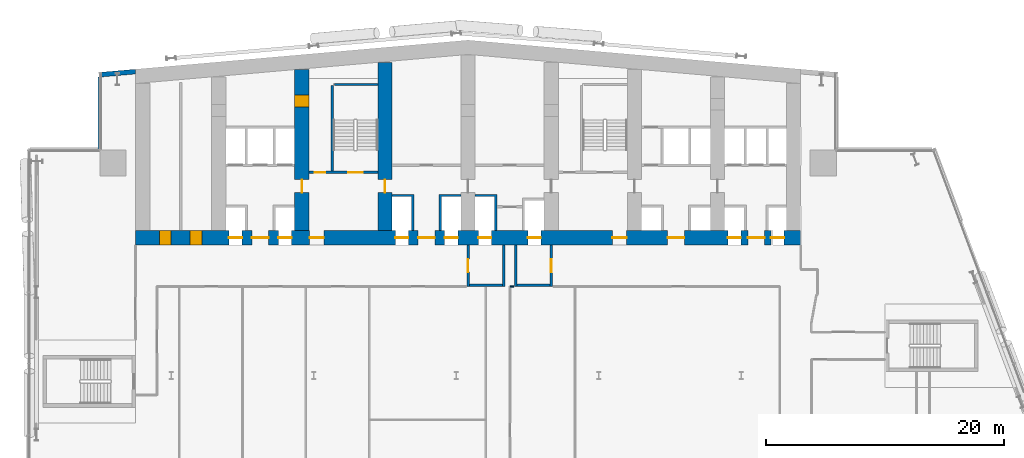
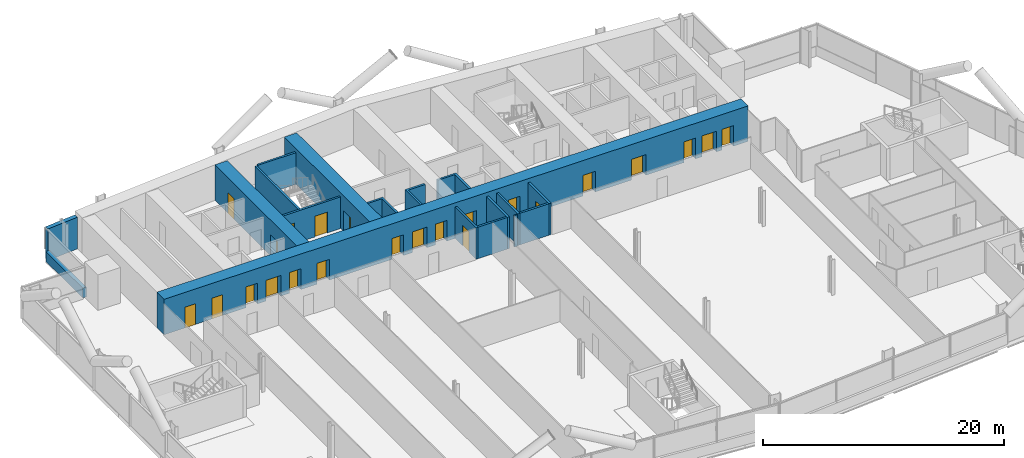
# One storey, part 14 of 24: 23 doors, 18 walls, 23 openings.
"""IFC4 building model written with IfcOpenShell, lengths in metres."""

from ifc_helpers import new_model, si_unit, direction, frame, frame_2d, origin, place, context, subcontext, project, spatial, polyline, rectangle, outline, extrude, material, layer, layer_set, type_object, element, fill, save


model = new_model("IFC4")

# Units and contexts
model_context = context("Model", 3, precision=1e-05, world=origin(), true_north=direction((0.0, 1.0)))
body_context = subcontext(model_context, "Body", "Model", "MODEL_VIEW")
ifc_project = project(units=[si_unit("LENGTHUNIT", "METRE"), si_unit("AREAUNIT", "SQUARE_METRE"), si_unit("VOLUMEUNIT", "CUBIC_METRE"), si_unit("PLANEANGLEUNIT", "RADIAN"), si_unit("MASSUNIT", "GRAM", prefix="KILO")], contexts=[model_context])

# Site, building, storey
site_placement = place(None, origin())
site = spatial("IfcSite", under=ifc_project, at=site_placement, CompositionType="ELEMENT")
building_placement = place(site_placement, origin())
building = spatial("IfcBuilding", under=site, at=building_placement, Name="Wharfspan Tower", CompositionType="ELEMENT")
storey_placement = place(building_placement, frame((0.0, 0.0, 66.699951)))
storey = spatial("IfcBuildingStorey", under=building, at=storey_placement, Name="L13", CompositionType="ELEMENT", Elevation=66.699951)

# Wall
ifc_material_1 = material(Name="Gypsum board on steel studs", Category="steel")
ifc_layer_1 = layer(ifc_material_1, 0.100098)
ifc_layer_set_1 = layer_set([ifc_layer_1], Name="Gypsum board on steel studs")
wall_type_1 = type_object("IfcWallType", Name="Compartment wall 100 EI 60", PredefinedType="PARTITIONING", material=ifc_layer_set_1)
wall_1_placement = place(storey_placement, frame((40.534912, 30.5, 0.0), z_axis=(0.0, 0.0, 1.0), x_axis=(1.0, 0.0, 0.0)))
element("IfcWall", 1, at=wall_1_placement, inside=storey, type_object=wall_type_1, Name="Partition L13.w018", PredefinedType="PARTITIONING", context=body_context, shape_type="SweptSolid", body=[
    extrude(rectangle(XDim=0.315186, YDim=0.100098, at=frame_2d((0.157715, 0.0))), origin(), (0.0, 0.0, 1.0), 3.199951),
])

# Wall, openings, doors
ifc_material_2 = material(Name="Concrete C70/85", Category="concrete")
ifc_layer_2 = layer(ifc_material_2, 1.199951)
ifc_layer_set_2 = layer_set([ifc_layer_2], Name="Concrete C70/85")
wall_type_2 = type_object("IfcWallType", Name="Core wall 1200 C70/85", PredefinedType="SHEAR", material=ifc_layer_set_2)
wall_2_placement = place(storey_placement, frame((9.0, 34.600098, 0.0), z_axis=(0.0, 0.0, 1.0), x_axis=(1.0, 0.0, 0.0)))
wall_2 = element("IfcWall", 2, at=wall_2_placement, inside=storey, type_object=wall_type_2, Name="Core front wall L13", PredefinedType="SHEAR", context=body_context, shape_type="SweptSolid", body=[
    extrude(rectangle(XDim=56.0, YDim=1.199951, at=frame_2d((28.0, 0.0))), origin(), (0.0, 0.0, 1.0), 3.600098),
])
opening_1_placement = place(wall_2_placement, frame((2.0, 0.0, 0.0)))
opening_1 = element("IfcOpeningElement", 3, at=opening_1_placement, cuts=wall_2, Name="Opening CD13.01", PredefinedType="OPENING", context=body_context, shape_type="SweptSolid", body=[
    extrude(rectangle(XDim=1.0, YDim=2.100098, at=frame_2d((0.5, 1.050049))), frame((0.0, 0.609863, 0.0), z_axis=(0.0, -1.0, 0.0), x_axis=(1.0, 0.0, 0.0)), (0.0, 0.0, 1.0), 1.219971),
])
opening_2_placement = place(wall_2_placement, frame((4.600098, 0.0, 0.0)))
opening_2 = element("IfcOpeningElement", 4, at=opening_2_placement, cuts=wall_2, Name="Opening CD13.02", PredefinedType="OPENING", context=body_context, shape_type="SweptSolid", body=[
    extrude(rectangle(XDim=1.0, YDim=2.100098, at=frame_2d((0.5, 1.050049))), frame((0.0, 0.609863, 0.0), z_axis=(0.0, -1.0, 0.0), x_axis=(1.0, 0.0, 0.0)), (0.0, 0.0, 1.0), 1.219971),
])
opening_3_placement = place(wall_2_placement, frame((7.866699, 0.0, 0.0)))
opening_3 = element("IfcOpeningElement", 5, at=opening_3_placement, cuts=wall_2, Name="Opening LD.LA1.L13", PredefinedType="OPENING", context=body_context, shape_type="SweptSolid", body=[
    extrude(rectangle(XDim=1.100098, YDim=2.100098, at=frame_2d((0.550049, 1.050049))), frame((0.0, 0.609863, 0.0), z_axis=(0.0, -1.0, 0.0), x_axis=(1.0, 0.0, 0.0)), (0.0, 0.0, 1.0), 1.219971),
])
opening_4_placement = place(wall_2_placement, frame((12.033203, 0.0, 0.0)))
opening_4 = element("IfcOpeningElement", 6, at=opening_4_placement, cuts=wall_2, Name="Opening LD.LA2.L13", PredefinedType="OPENING", context=body_context, shape_type="SweptSolid", body=[
    extrude(rectangle(XDim=1.100098, YDim=2.100098, at=frame_2d((0.550049, 1.050049))), frame((0.0, 0.609863, 0.0), z_axis=(0.0, -1.0, 0.0), x_axis=(1.0, 0.0, 0.0)), (0.0, 0.0, 1.0), 1.219971),
])
opening_5_placement = place(wall_2_placement, frame((9.800049, 0.0, 0.0)))
opening_5 = element("IfcOpeningElement", 7, at=opening_5_placement, cuts=wall_2, Name="Opening HD13.1", PredefinedType="OPENING", context=body_context, shape_type="SweptSolid", body=[
    extrude(rectangle(XDim=1.399902, YDim=2.100098, at=frame_2d((0.699951, 1.050049))), frame((0.0, 0.609863, 0.0), z_axis=(0.0, -1.0, 0.0), x_axis=(1.0, 0.0, 0.0)), (0.0, 0.0, 1.0), 1.219971),
])
opening_6_placement = place(wall_2_placement, frame((14.649902, 0.0, 0.0)))
opening_6 = element("IfcOpeningElement", 8, at=opening_6_placement, cuts=wall_2, Name="Opening SV2.L13", PredefinedType="OPENING", context=body_context, shape_type="SweptSolid", body=[
    extrude(rectangle(XDim=1.199951, YDim=2.100098, at=frame_2d((0.600098, 1.050049))), frame((0.0, 0.609863, 0.0), z_axis=(0.0, -1.0, 0.0), x_axis=(1.0, 0.0, 0.0)), (0.0, 0.0, 1.0), 1.219971),
])
opening_7_placement = place(wall_2_placement, frame((21.866699, 0.0, 0.0)))
opening_7 = element("IfcOpeningElement", 9, at=opening_7_placement, cuts=wall_2, Name="Opening LD.SL1.L13", PredefinedType="OPENING", context=body_context, shape_type="SweptSolid", body=[
    extrude(rectangle(XDim=1.100098, YDim=2.100098, at=frame_2d((0.550049, 1.050049))), frame((0.0, 0.609863, 0.0), z_axis=(0.0, -1.0, 0.0), x_axis=(1.0, 0.0, 0.0)), (0.0, 0.0, 1.0), 1.219971),
])
opening_8_placement = place(wall_2_placement, frame((26.033203, 0.0, 0.0)))
opening_8 = element("IfcOpeningElement", 10, at=opening_8_placement, cuts=wall_2, Name="Opening LD.SL2.L13", PredefinedType="OPENING", context=body_context, shape_type="SweptSolid", body=[
    extrude(rectangle(XDim=1.100098, YDim=2.100098, at=frame_2d((0.550049, 1.050049))), frame((0.0, 0.609863, 0.0), z_axis=(0.0, -1.0, 0.0), x_axis=(1.0, 0.0, 0.0)), (0.0, 0.0, 1.0), 1.219971),
])
opening_9_placement = place(wall_2_placement, frame((23.800049, 0.0, 0.0)))
opening_9 = element("IfcOpeningElement", 11, at=opening_9_placement, cuts=wall_2, Name="Opening HD13.3", PredefinedType="OPENING", context=body_context, shape_type="SweptSolid", body=[
    extrude(rectangle(XDim=1.399902, YDim=2.100098, at=frame_2d((0.699951, 1.050049))), frame((0.0, 0.609863, 0.0), z_axis=(0.0, -1.0, 0.0), x_axis=(1.0, 0.0, 0.0)), (0.0, 0.0, 1.0), 1.219971),
])
opening_10_placement = place(wall_2_placement, frame((28.866699, 0.0, 0.0)))
opening_10 = element("IfcOpeningElement", 12, at=opening_10_placement, cuts=wall_2, Name="Opening LD.FF1.L13", PredefinedType="OPENING", context=body_context, shape_type="SweptSolid", body=[
    extrude(rectangle(XDim=1.100098, YDim=2.100098, at=frame_2d((0.550049, 1.050049))), frame((0.0, 0.609863, 0.0), z_axis=(0.0, -1.0, 0.0), x_axis=(1.0, 0.0, 0.0)), (0.0, 0.0, 1.0), 1.219971),
])
opening_11_placement = place(wall_2_placement, frame((33.033203, 0.0, 0.0)))
opening_11 = element("IfcOpeningElement", 13, at=opening_11_placement, cuts=wall_2, Name="Opening LD.FF2.L13", PredefinedType="OPENING", context=body_context, shape_type="SweptSolid", body=[
    extrude(rectangle(XDim=1.100098, YDim=2.100098, at=frame_2d((0.550049, 1.050049))), frame((0.0, 0.609863, 0.0), z_axis=(0.0, -1.0, 0.0), x_axis=(1.0, 0.0, 0.0)), (0.0, 0.0, 1.0), 1.219971),
])
opening_12_placement = place(wall_2_placement, frame((40.149902, 0.0, 0.0)))
opening_12 = element("IfcOpeningElement", 14, at=opening_12_placement, cuts=wall_2, Name="Opening SV5.L13", PredefinedType="OPENING", context=body_context, shape_type="SweptSolid", body=[
    extrude(rectangle(XDim=1.199951, YDim=2.100098, at=frame_2d((0.600098, 1.050049))), frame((0.0, 0.609863, 0.0), z_axis=(0.0, -1.0, 0.0), x_axis=(1.0, 0.0, 0.0)), (0.0, 0.0, 1.0), 1.219971),
])
opening_13_placement = place(wall_2_placement, frame((44.800049, 0.0, 0.0)))
opening_13 = element("IfcOpeningElement", 15, at=opening_13_placement, cuts=wall_2, Name="Opening HD13.6", PredefinedType="OPENING", context=body_context, shape_type="SweptSolid", body=[
    extrude(rectangle(XDim=1.399902, YDim=2.100098, at=frame_2d((0.699951, 1.050049))), frame((0.0, 0.609863, 0.0), z_axis=(0.0, -1.0, 0.0), x_axis=(1.0, 0.0, 0.0)), (0.0, 0.0, 1.0), 1.219971),
])
opening_14_placement = place(wall_2_placement, frame((49.866699, 0.0, 0.0)))
opening_14 = element("IfcOpeningElement", 16, at=opening_14_placement, cuts=wall_2, Name="Opening LD.LA6.L13", PredefinedType="OPENING", context=body_context, shape_type="SweptSolid", body=[
    extrude(rectangle(XDim=1.100098, YDim=2.100098, at=frame_2d((0.550049, 1.050049))), frame((0.0, 0.609863, 0.0), z_axis=(0.0, -1.0, 0.0), x_axis=(1.0, 0.0, 0.0)), (0.0, 0.0, 1.0), 1.219971),
])
opening_15_placement = place(wall_2_placement, frame((53.5, 0.0, 0.0)))
opening_15 = element("IfcOpeningElement", 17, at=opening_15_placement, cuts=wall_2, Name="Opening LD.LA7.L13", PredefinedType="OPENING", context=body_context, shape_type="SweptSolid", body=[
    extrude(rectangle(XDim=1.100098, YDim=2.100098, at=frame_2d((0.550049, 1.050049))), frame((0.0, 0.609863, 0.0), z_axis=(0.0, -1.0, 0.0), x_axis=(1.0, 0.0, 0.0)), (0.0, 0.0, 1.0), 1.219971),
])
opening_16_placement = place(wall_2_placement, frame((51.56665, 0.0, 0.0)))
opening_16 = element("IfcOpeningElement", 18, at=opening_16_placement, cuts=wall_2, Name="Opening HD13.7", PredefinedType="OPENING", context=body_context, shape_type="SweptSolid", body=[
    extrude(rectangle(XDim=1.399902, YDim=2.100098, at=frame_2d((0.699951, 1.050049))), frame((0.0, 0.609863, 0.0), z_axis=(0.0, -1.0, 0.0), x_axis=(1.0, 0.0, 0.0)), (0.0, 0.0, 1.0), 1.219971),
])
ifc_material_3 = material(Name="Steel door leaf", Category="steel")
door_type_1 = type_object("IfcDoorType", Name="Core room door 1000x2100", OperationType="SINGLE_SWING_LEFT", PredefinedType="DOOR", material=ifc_material_3)
door_1_placement = place(opening_1_placement, origin())
door_1 = element("IfcDoor", 19, at=door_1_placement, inside=storey, type_object=door_type_1, Name="d:L13:0:rf", OperationType="SINGLE_SWING_LEFT", OverallHeight=2.100098, OverallWidth=1.0, PredefinedType="DOOR", context=body_context, shape_type="SweptSolid", body=[
    extrude(rectangle(XDim=1.0, YDim=2.100098, at=frame_2d((0.5, 1.050049))), frame((0.0, 0.599609, 0.0), z_axis=(0.0, -1.0, 0.0), x_axis=(1.0, 0.0, 0.0)), (0.0, 0.0, 1.0), 1.199463),
])
fill(opening_1, door_1)
door_2_placement = place(opening_2_placement, origin())
door_2 = element("IfcDoor", 20, at=door_2_placement, inside=storey, type_object=door_type_1, Name="d:L13:0:rr", OperationType="SINGLE_SWING_RIGHT", OverallHeight=2.100098, OverallWidth=1.0, PredefinedType="DOOR", context=body_context, shape_type="SweptSolid", body=[
    extrude(rectangle(XDim=1.0, YDim=2.100098, at=frame_2d((0.5, 1.050049))), frame((0.0, 0.599609, 0.0), z_axis=(0.0, -1.0, 0.0), x_axis=(1.0, 0.0, 0.0)), (0.0, 0.0, 1.0), 1.199463),
])
fill(opening_2, door_2)
door_type_2 = type_object("IfcDoorType", Name="Hall entry door 1400x2100", OperationType="DOUBLE_DOOR_SINGLE_SWING", PredefinedType="DOOR", material=ifc_material_3)
door_3_placement = place(opening_5_placement, origin())
door_3 = element("IfcDoor", 21, at=door_3_placement, inside=storey, type_object=door_type_2, Name="d:L13:1:hd1", OperationType="DOUBLE_DOOR_SINGLE_SWING", OverallHeight=2.100098, OverallWidth=1.399902, PredefinedType="DOOR", context=body_context, shape_type="SweptSolid", body=[
    extrude(rectangle(XDim=1.399902, YDim=2.100098, at=frame_2d((0.699951, 1.050049))), frame((0.0, 0.024902, 0.0), z_axis=(0.0, -1.0, 0.0), x_axis=(1.0, 0.0, 0.0)), (0.0, 0.0, 1.0), 0.050049),
])
fill(opening_5, door_3)
door_4_placement = place(opening_9_placement, origin())
door_4 = element("IfcDoor", 22, at=door_4_placement, inside=storey, type_object=door_type_2, Name="d:L13:3:hd3", OperationType="DOUBLE_DOOR_SINGLE_SWING", OverallHeight=2.100098, OverallWidth=1.399902, PredefinedType="DOOR", context=body_context, shape_type="SweptSolid", body=[
    extrude(rectangle(XDim=1.399902, YDim=2.100098, at=frame_2d((0.699951, 1.050049))), frame((0.0, 0.024902, 0.0), z_axis=(0.0, -1.0, 0.0), x_axis=(1.0, 0.0, 0.0)), (0.0, 0.0, 1.0), 0.050049),
])
fill(opening_9, door_4)
door_5_placement = place(opening_13_placement, origin())
door_5 = element("IfcDoor", 23, at=door_5_placement, inside=storey, type_object=door_type_2, Name="d:L13:6:hd6", OperationType="DOUBLE_DOOR_SINGLE_SWING", OverallHeight=2.100098, OverallWidth=1.399902, PredefinedType="DOOR", context=body_context, shape_type="SweptSolid", body=[
    extrude(rectangle(XDim=1.399902, YDim=2.100098, at=frame_2d((0.699951, 1.050049))), frame((0.0, 0.024902, 0.0), z_axis=(0.0, -1.0, 0.0), x_axis=(1.0, 0.0, 0.0)), (0.0, 0.0, 1.0), 0.050049),
])
fill(opening_13, door_5)
door_6_placement = place(opening_16_placement, origin())
door_6 = element("IfcDoor", 24, at=door_6_placement, inside=storey, type_object=door_type_2, Name="d:L13:7:hd7", OperationType="DOUBLE_DOOR_SINGLE_SWING", OverallHeight=2.100098, OverallWidth=1.399902, PredefinedType="DOOR", context=body_context, shape_type="SweptSolid", body=[
    extrude(rectangle(XDim=1.399902, YDim=2.100098, at=frame_2d((0.699951, 1.050049))), frame((0.0, 0.024902, 0.0), z_axis=(0.0, -1.0, 0.0), x_axis=(1.0, 0.0, 0.0)), (0.0, 0.0, 1.0), 0.050049),
])
fill(opening_16, door_6)
ifc_material_4 = material(Name="Stainless steel", Category="steel")
door_type_3 = type_object("IfcDoorType", Name="Lift landing door 1100x2100", OperationType="DOUBLE_DOOR_SLIDING", PredefinedType="DOOR", material=ifc_material_4)
door_7_placement = place(opening_3_placement, origin())
door_7 = element("IfcDoor", 25, at=door_7_placement, inside=storey, type_object=door_type_3, Name="Landing door LA1 L13", OperationType="DOUBLE_DOOR_SLIDING", OverallHeight=2.100098, OverallWidth=1.100098, PredefinedType="DOOR", context=body_context, shape_type="SweptSolid", body=[
    extrude(rectangle(XDim=1.100098, YDim=2.100098, at=frame_2d((0.550049, 1.050049))), frame((0.0, 0.024902, 0.0), z_axis=(0.0, -1.0, 0.0), x_axis=(1.0, 0.0, 0.0)), (0.0, 0.0, 1.0), 0.050049),
])
fill(opening_3, door_7)
door_8_placement = place(opening_4_placement, origin())
door_8 = element("IfcDoor", 26, at=door_8_placement, inside=storey, type_object=door_type_3, Name="Landing door LA2 L13", OperationType="DOUBLE_DOOR_SLIDING", OverallHeight=2.100098, OverallWidth=1.100098, PredefinedType="DOOR", context=body_context, shape_type="SweptSolid", body=[
    extrude(rectangle(XDim=1.100098, YDim=2.100098, at=frame_2d((0.550049, 1.050049))), frame((0.0, 0.024902, 0.0), z_axis=(0.0, -1.0, 0.0), x_axis=(1.0, 0.0, 0.0)), (0.0, 0.0, 1.0), 0.050049),
])
fill(opening_4, door_8)
door_9_placement = place(opening_7_placement, origin())
door_9 = element("IfcDoor", 27, at=door_9_placement, inside=storey, type_object=door_type_3, Name="Landing door SL1 L13", OperationType="DOUBLE_DOOR_SLIDING", OverallHeight=2.100098, OverallWidth=1.100098, PredefinedType="DOOR", context=body_context, shape_type="SweptSolid", body=[
    extrude(rectangle(XDim=1.100098, YDim=2.100098, at=frame_2d((0.550049, 1.050049))), frame((0.0, 0.024902, 0.0), z_axis=(0.0, -1.0, 0.0), x_axis=(1.0, 0.0, 0.0)), (0.0, 0.0, 1.0), 0.050049),
])
fill(opening_7, door_9)
door_10_placement = place(opening_8_placement, origin())
door_10 = element("IfcDoor", 28, at=door_10_placement, inside=storey, type_object=door_type_3, Name="Landing door SL2 L13", OperationType="DOUBLE_DOOR_SLIDING", OverallHeight=2.100098, OverallWidth=1.100098, PredefinedType="DOOR", context=body_context, shape_type="SweptSolid", body=[
    extrude(rectangle(XDim=1.100098, YDim=2.100098, at=frame_2d((0.550049, 1.050049))), frame((0.0, 0.024902, 0.0), z_axis=(0.0, -1.0, 0.0), x_axis=(1.0, 0.0, 0.0)), (0.0, 0.0, 1.0), 0.050049),
])
fill(opening_8, door_10)
door_11_placement = place(opening_10_placement, origin())
door_11 = element("IfcDoor", 29, at=door_11_placement, inside=storey, type_object=door_type_3, Name="Landing door FF1 L13", OperationType="DOUBLE_DOOR_SLIDING", OverallHeight=2.100098, OverallWidth=1.100098, PredefinedType="DOOR", context=body_context, shape_type="SweptSolid", body=[
    extrude(rectangle(XDim=1.100098, YDim=2.100098, at=frame_2d((0.550049, 1.050049))), frame((0.0, 0.024902, 0.0), z_axis=(0.0, -1.0, 0.0), x_axis=(1.0, 0.0, 0.0)), (0.0, 0.0, 1.0), 0.050049),
])
fill(opening_10, door_11)
door_12_placement = place(opening_11_placement, origin())
door_12 = element("IfcDoor", 30, at=door_12_placement, inside=storey, type_object=door_type_3, Name="Landing door FF2 L13", OperationType="DOUBLE_DOOR_SLIDING", OverallHeight=2.100098, OverallWidth=1.100098, PredefinedType="DOOR", context=body_context, shape_type="SweptSolid", body=[
    extrude(rectangle(XDim=1.100098, YDim=2.100098, at=frame_2d((0.550049, 1.050049))), frame((0.0, 0.024902, 0.0), z_axis=(0.0, -1.0, 0.0), x_axis=(1.0, 0.0, 0.0)), (0.0, 0.0, 1.0), 0.050049),
])
fill(opening_11, door_12)
door_13_placement = place(opening_14_placement, origin())
door_13 = element("IfcDoor", 31, at=door_13_placement, inside=storey, type_object=door_type_3, Name="Landing door LA6 L13", OperationType="DOUBLE_DOOR_SLIDING", OverallHeight=2.100098, OverallWidth=1.100098, PredefinedType="DOOR", context=body_context, shape_type="SweptSolid", body=[
    extrude(rectangle(XDim=1.100098, YDim=2.100098, at=frame_2d((0.550049, 1.050049))), frame((0.0, 0.024902, 0.0), z_axis=(0.0, -1.0, 0.0), x_axis=(1.0, 0.0, 0.0)), (0.0, 0.0, 1.0), 0.050049),
])
fill(opening_14, door_13)
door_14_placement = place(opening_15_placement, origin())
door_14 = element("IfcDoor", 32, at=door_14_placement, inside=storey, type_object=door_type_3, Name="Landing door LA7 L13", OperationType="DOUBLE_DOOR_SLIDING", OverallHeight=2.100098, OverallWidth=1.100098, PredefinedType="DOOR", context=body_context, shape_type="SweptSolid", body=[
    extrude(rectangle(XDim=1.100098, YDim=2.100098, at=frame_2d((0.550049, 1.050049))), frame((0.0, 0.024902, 0.0), z_axis=(0.0, -1.0, 0.0), x_axis=(1.0, 0.0, 0.0)), (0.0, 0.0, 1.0), 0.050049),
])
fill(opening_15, door_14)
door_type_4 = type_object("IfcDoorType", Name="Stair door 1200x2100", OperationType="SINGLE_SWING_LEFT", PredefinedType="DOOR", material=ifc_material_3)
door_15_placement = place(opening_6_placement, origin())
door_15 = element("IfcDoor", 33, at=door_15_placement, inside=storey, type_object=door_type_4, Name="vd:L13:2", OperationType="SINGLE_SWING_LEFT", OverallHeight=2.100098, OverallWidth=1.199951, PredefinedType="DOOR", context=body_context, shape_type="SweptSolid", body=[
    extrude(rectangle(XDim=1.199951, YDim=2.100098, at=frame_2d((0.600098, 1.050049))), frame((0.0, 0.024902, 0.0), z_axis=(0.0, -1.0, 0.0), x_axis=(1.0, 0.0, 0.0)), (0.0, 0.0, 1.0), 0.050049),
])
fill(opening_6, door_15)
door_16_placement = place(opening_12_placement, origin())
door_16 = element("IfcDoor", 34, at=door_16_placement, inside=storey, type_object=door_type_4, Name="vd:L13:5", OperationType="SINGLE_SWING_LEFT", OverallHeight=2.100098, OverallWidth=1.199951, PredefinedType="DOOR", context=body_context, shape_type="SweptSolid", body=[
    extrude(rectangle(XDim=1.199951, YDim=2.100098, at=frame_2d((0.600098, 1.050049))), frame((0.0, 0.024902, 0.0), z_axis=(0.0, -1.0, 0.0), x_axis=(1.0, 0.0, 0.0)), (0.0, 0.0, 1.0), 0.050049),
])
fill(opening_12, door_16)

wall_3_placement = place(storey_placement, frame((23.0, 35.199951, 0.0), z_axis=(0.0, 0.0, 1.0), x_axis=(0.0, 1.0, 0.0)))
wall_3 = element("IfcWall", 35, at=wall_3_placement, inside=storey, type_object=wall_type_2, Name="Core cross wall X2 L13", PredefinedType="SHEAR", context=body_context, shape_type="SweptSolid", body=[
    extrude(rectangle(XDim=13.555176, YDim=1.199951, at=frame_2d((6.777588, 0.0))), origin(), (0.0, 0.0, 1.0), 3.600098),
])
opening_17_placement = place(wall_3_placement, frame((10.413818, 0.0, 0.0)))
opening_17 = element("IfcOpeningElement", 36, at=opening_17_placement, cuts=wall_3, Name="Opening CD13.1X", PredefinedType="OPENING", context=body_context, shape_type="SweptSolid", body=[
    extrude(rectangle(XDim=1.0, YDim=2.100098, at=frame_2d((0.5, 1.050049))), frame((0.0, 0.609863, 0.0), z_axis=(0.0, -1.0, 0.0), x_axis=(1.0, 0.0, 0.0)), (0.0, 0.0, 1.0), 1.219971),
])
opening_18_placement = place(wall_3_placement, frame((3.199951, 0.0, 0.0)))
opening_18 = element("IfcOpeningElement", 37, at=opening_18_placement, cuts=wall_3, Name="Opening CC13.2", PredefinedType="OPENING", context=body_context, shape_type="SweptSolid", body=[
    extrude(rectangle(XDim=1.100098, YDim=2.100098, at=frame_2d((0.550049, 1.050049))), frame((0.0, 0.609863, 0.0), z_axis=(0.0, -1.0, 0.0), x_axis=(1.0, 0.0, 0.0)), (0.0, 0.0, 1.0), 1.219971),
])
door_type_5 = type_object("IfcDoorType", Name="Core corridor door 1100x2100", OperationType="SINGLE_SWING_LEFT", PredefinedType="DOOR", material=ifc_material_3)
door_17_placement = place(opening_18_placement, origin())
door_17 = element("IfcDoor", 38, at=door_17_placement, inside=storey, type_object=door_type_5, Name="xd:L13:2", OperationType="SINGLE_SWING_RIGHT", OverallHeight=2.100098, OverallWidth=1.100098, PredefinedType="DOOR", context=body_context, shape_type="SweptSolid", body=[
    extrude(rectangle(XDim=1.100098, YDim=2.100098, at=frame_2d((0.550049, 1.050049))), frame((0.0, 0.024902, 0.0), z_axis=(0.0, -1.0, 0.0), x_axis=(1.0, 0.0, 0.0)), (0.0, 0.0, 1.0), 0.050049),
])
fill(opening_18, door_17)
door_18_placement = place(opening_17_placement, origin())
door_18 = element("IfcDoor", 39, at=door_18_placement, inside=storey, type_object=door_type_1, Name="d:L13:1:sx", OperationType="SINGLE_SWING_LEFT", OverallHeight=2.100098, OverallWidth=1.0, PredefinedType="DOOR", context=body_context, shape_type="SweptSolid", body=[
    extrude(rectangle(XDim=1.0, YDim=2.100098, at=frame_2d((0.5, 1.050049))), frame((0.0, 0.599609, 0.0), z_axis=(0.0, -1.0, 0.0), x_axis=(1.0, 0.0, 0.0)), (0.0, 0.0, 1.0), 1.199463),
])
fill(opening_17, door_18)

# Wall, opening, door
wall_4_placement = place(storey_placement, frame((30.0, 35.199951, 0.0), z_axis=(0.0, 0.0, 1.0), x_axis=(0.0, 1.0, 0.0)))
wall_4 = element("IfcWall", 40, at=wall_4_placement, inside=storey, type_object=wall_type_2, Name="Core cross wall X3 L13", PredefinedType="SHEAR", context=body_context, shape_type="SweptSolid", body=[
    extrude(rectangle(XDim=14.167725, YDim=1.199951, at=frame_2d((7.083984, 0.0))), origin(), (0.0, 0.0, 1.0), 3.600098),
])
opening_19_placement = place(wall_4_placement, frame((3.199951, 0.0, 0.0)))
opening_19 = element("IfcOpeningElement", 41, at=opening_19_placement, cuts=wall_4, Name="Opening CC13.3", PredefinedType="OPENING", context=body_context, shape_type="SweptSolid", body=[
    extrude(rectangle(XDim=1.100098, YDim=2.100098, at=frame_2d((0.550049, 1.050049))), frame((0.0, 0.609863, 0.0), z_axis=(0.0, -1.0, 0.0), x_axis=(1.0, 0.0, 0.0)), (0.0, 0.0, 1.0), 1.219971),
])
door_19_placement = place(opening_19_placement, origin())
door_19 = element("IfcDoor", 42, at=door_19_placement, inside=storey, type_object=door_type_5, Name="xd:L13:3", OperationType="SINGLE_SWING_LEFT", OverallHeight=2.100098, OverallWidth=1.100098, PredefinedType="DOOR", context=body_context, shape_type="SweptSolid", body=[
    extrude(rectangle(XDim=1.100098, YDim=2.100098, at=frame_2d((0.550049, 1.050049))), frame((0.0, 0.024902, 0.0), z_axis=(0.0, -1.0, 0.0), x_axis=(1.0, 0.0, 0.0)), (0.0, 0.0, 1.0), 0.050049),
])
fill(opening_19, door_19)

# Walls
ifc_material_5 = material(Name="Concrete C30/37", Category="concrete")
ifc_layer_3 = layer(ifc_material_5, 0.199951)
ifc_layer_set_3 = layer_set([ifc_layer_3], Name="Concrete C30/37")
wall_type_3 = type_object("IfcWallType", Name="Lift shaft wall 200", PredefinedType="PARTITIONING", material=ifc_layer_set_3)
wall_5_placement = place(storey_placement, frame((0.0, 0.0, -0.000244)))
element("IfcWall", 43, at=wall_5_placement, inside=storey, type_object=wall_type_3, Name="sw:L13:FM3.0", PredefinedType="PARTITIONING", context=body_context, shape_type="SweptSolid", body=[
    extrude(outline(polyline([(32.233398, 38.050049), (30.600098, 38.050049), (30.600098, 38.25), (32.233398, 38.25), (32.43335, 38.25), (32.43335, 35.199951), (32.233398, 35.199951), (32.233398, 38.050049)])), origin(), (0.0, 0.0, 1.0), 3.200195),
])
wall_6_placement = place(storey_placement, frame((0.0, 0.0, -0.000244)))
element("IfcWall", 44, at=wall_6_placement, inside=storey, type_object=wall_type_3, Name="sw:L13:FM3.1", PredefinedType="PARTITIONING", context=body_context, shape_type="SweptSolid", body=[
    extrude(outline(polyline([(34.56665, 38.25), (34.766602, 38.25), (36.399902, 38.25), (36.399902, 38.050049), (34.766602, 38.050049), (34.766602, 35.199951), (34.56665, 35.199951), (34.56665, 38.25)])), origin(), (0.0, 0.0, 1.0), 3.200195),
])
wall_7_placement = place(storey_placement, frame((0.0, 0.0, -0.000244)))
element("IfcWall", 45, at=wall_7_placement, inside=storey, type_object=wall_type_3, Name="sw:L13:FM4.1", PredefinedType="PARTITIONING", context=body_context, shape_type="SweptSolid", body=[
    extrude(outline(polyline([(39.233398, 38.050049), (37.600098, 38.050049), (37.600098, 38.25), (39.233398, 38.25), (39.43335, 38.25), (39.43335, 35.199951), (39.233398, 35.199951), (39.233398, 38.050049)])), origin(), (0.0, 0.0, 1.0), 3.200195),
])

# Wall, opening, door
ifc_layer_4 = layer(ifc_material_5, 0.199951)
ifc_layer_set_4 = layer_set([ifc_layer_4], Name="Concrete C30/37")
wall_type_4 = type_object("IfcWallType", Name="Lobby wall 200", PredefinedType="PARTITIONING", material=ifc_layer_set_4)
wall_8_placement = place(storey_placement, frame((37.0, 30.5, 0.0), z_axis=(0.0, 0.0, 1.0), x_axis=(0.0, 1.0, 0.0)))
wall_8 = element("IfcWall", 46, at=wall_8_placement, inside=storey, type_object=wall_type_4, Name="sw:L13:FLFF1W", PredefinedType="PARTITIONING", context=body_context, shape_type="SweptSolid", body=[
    extrude(rectangle(XDim=3.5, YDim=0.199951, at=frame_2d((1.75, 0.0))), origin(), (0.0, 0.0, 1.0), 3.199951),
])
opening_20_placement = place(wall_8_placement, frame((1.199951, 0.0, 0.0)))
opening_20 = element("IfcOpeningElement", 47, at=opening_20_placement, cuts=wall_8, Name="Opening FL.FF1.L13", PredefinedType="OPENING", context=body_context, shape_type="SweptSolid", body=[
    extrude(rectangle(XDim=1.100098, YDim=2.100098, at=frame_2d((0.550049, 1.050049))), frame((0.0, 0.109863, 0.0), z_axis=(0.0, -1.0, 0.0), x_axis=(1.0, 0.0, 0.0)), (0.0, 0.0, 1.0), 0.219971),
])
door_type_6 = type_object("IfcDoorType", Name="Firefighting lobby door 1100x2100", OperationType="SINGLE_SWING_LEFT", PredefinedType="DOOR", material=ifc_material_3)
door_20_placement = place(opening_20_placement, origin())
door_20 = element("IfcDoor", 48, at=door_20_placement, inside=storey, type_object=door_type_6, Name="fd:L13:FF1", OperationType="SINGLE_SWING_LEFT", OverallHeight=2.100098, OverallWidth=1.100098, PredefinedType="DOOR", context=body_context, shape_type="SweptSolid", body=[
    extrude(rectangle(XDim=1.100098, YDim=2.100098, at=frame_2d((0.550049, 1.050049))), frame((0.0, 0.024902, 0.0), z_axis=(0.0, -1.0, 0.0), x_axis=(1.0, 0.0, 0.0)), (0.0, 0.0, 1.0), 0.050049),
])
fill(opening_20, door_20)

# Walls
wall_9_placement = place(storey_placement, frame((40.0, 30.5, 0.0), z_axis=(0.0, 0.0, 1.0), x_axis=(0.0, 1.0, 0.0)))
element("IfcWall", 49, at=wall_9_placement, inside=storey, type_object=wall_type_4, Name="sw:L13:FLFF1E", PredefinedType="PARTITIONING", context=body_context, shape_type="SweptSolid", body=[
    extrude(rectangle(XDim=3.5, YDim=0.199951, at=frame_2d((1.75, 0.0))), origin(), (0.0, 0.0, 1.0), 3.199951),
])
wall_10_placement = place(storey_placement, frame((37.100098, 30.600098, 0.0), z_axis=(0.0, 0.0, 1.0), x_axis=(1.0, 0.0, 0.0)))
element("IfcWall", 50, at=wall_10_placement, inside=storey, type_object=wall_type_4, Name="sw:L13:FLFF1F", PredefinedType="PARTITIONING", context=body_context, shape_type="SweptSolid", body=[
    extrude(rectangle(XDim=2.799805, YDim=0.199951, at=frame_2d((1.399902, 0.0))), origin(), (0.0, 0.0, 1.0), 3.199951),
])
wall_11_placement = place(storey_placement, frame((41.0, 30.5, 0.0), z_axis=(0.0, 0.0, 1.0), x_axis=(0.0, 1.0, 0.0)))
element("IfcWall", 51, at=wall_11_placement, inside=storey, type_object=wall_type_4, Name="sw:L13:FLFF2W", PredefinedType="PARTITIONING", context=body_context, shape_type="SweptSolid", body=[
    extrude(rectangle(XDim=3.5, YDim=0.199951, at=frame_2d((1.75, 0.0))), origin(), (0.0, 0.0, 1.0), 3.199951),
])

# Wall, opening, door
wall_12_placement = place(storey_placement, frame((44.0, 30.5, 0.0), z_axis=(0.0, 0.0, 1.0), x_axis=(0.0, 1.0, 0.0)))
wall_12 = element("IfcWall", 52, at=wall_12_placement, inside=storey, type_object=wall_type_4, Name="sw:L13:FLFF2E", PredefinedType="PARTITIONING", context=body_context, shape_type="SweptSolid", body=[
    extrude(rectangle(XDim=3.5, YDim=0.199951, at=frame_2d((1.75, 0.0))), origin(), (0.0, 0.0, 1.0), 3.199951),
])
opening_21_placement = place(wall_12_placement, frame((1.199951, 0.0, 0.0)))
opening_21 = element("IfcOpeningElement", 53, at=opening_21_placement, cuts=wall_12, Name="Opening FL.FF2.L13", PredefinedType="OPENING", context=body_context, shape_type="SweptSolid", body=[
    extrude(rectangle(XDim=1.100098, YDim=2.100098, at=frame_2d((0.550049, 1.050049))), frame((0.0, 0.109863, 0.0), z_axis=(0.0, -1.0, 0.0), x_axis=(1.0, 0.0, 0.0)), (0.0, 0.0, 1.0), 0.219971),
])
door_21_placement = place(opening_21_placement, origin())
door_21 = element("IfcDoor", 54, at=door_21_placement, inside=storey, type_object=door_type_6, Name="fd:L13:FF2", OperationType="SINGLE_SWING_LEFT", OverallHeight=2.100098, OverallWidth=1.100098, PredefinedType="DOOR", context=body_context, shape_type="SweptSolid", body=[
    extrude(rectangle(XDim=1.100098, YDim=2.100098, at=frame_2d((0.550049, 1.050049))), frame((0.0, 0.024902, 0.0), z_axis=(0.0, -1.0, 0.0), x_axis=(1.0, 0.0, 0.0)), (0.0, 0.0, 1.0), 0.050049),
])
fill(opening_21, door_21)

# Walls
wall_13_placement = place(storey_placement, frame((41.100098, 30.600098, 0.0), z_axis=(0.0, 0.0, 1.0), x_axis=(1.0, 0.0, 0.0)))
element("IfcWall", 55, at=wall_13_placement, inside=storey, type_object=wall_type_4, Name="sw:L13:FLFF2F", PredefinedType="PARTITIONING", context=body_context, shape_type="SweptSolid", body=[
    extrude(rectangle(XDim=2.799805, YDim=0.199951, at=frame_2d((1.399902, 0.0))), origin(), (0.0, 0.0, 1.0), 3.199951),
])
ifc_material_6 = material(Name="Concrete C40/50", Category="concrete")
ifc_layer_5 = layer(ifc_material_6, 0.350098)
ifc_layer_set_5 = layer_set([ifc_layer_5], Name="Concrete C40/50")
wall_type_5 = type_object("IfcWallType", Name="SPANDREL EXPOSED CONCRETE 350", PredefinedType="SOLIDWALL", material=ifc_layer_set_5)
wall_14_placement = place(storey_placement, frame((5.995117, 48.126465, 0.0), z_axis=(0.0, 0.0, 1.0), x_axis=(0.0, -1.0, 0.0)))
element("IfcWall", 56, at=wall_14_placement, inside=storey, type_object=wall_type_5, Name="Spandrel upstand L13 NRW-V", PredefinedType="SOLIDWALL", context=body_context, shape_type="SweptSolid", body=[
    extrude(rectangle(XDim=6.126465, YDim=0.350098, at=frame_2d((3.063232, 0.0))), origin(), (0.0, 0.0, 1.0), 1.0),
])

# Wall, openings, doors
ifc_layer_6 = layer(ifc_material_6, 0.199951)
ifc_layer_set_6 = layer_set([ifc_layer_6], Name="Concrete C40/50")
wall_type_6 = type_object("IfcWallType", Name="Stair shaft wall 200", PredefinedType="SHEAR", material=ifc_layer_set_6)
wall_15_placement = place(storey_placement, frame((23.600098, 40.100098, 0.0), z_axis=(0.0, 0.0, 1.0), x_axis=(1.0, 0.0, 0.0)))
wall_15 = element("IfcWall", 57, at=wall_15_placement, inside=storey, type_object=wall_type_6, Name="ST1 stair enclosure wall L13", PredefinedType="SHEAR", context=body_context, shape_type="SweptSolid", body=[
    extrude(rectangle(XDim=5.799805, YDim=0.199951, at=frame_2d((2.899902, 0.0))), origin(), (0.0, 0.0, 1.0), 3.199951),
])
opening_22_placement = place(wall_15_placement, frame((3.324951, 0.0, 0.0)))
opening_22 = element("IfcOpeningElement", 58, at=opening_22_placement, cuts=wall_15, Name="Opening SD2.L13", PredefinedType="OPENING", context=body_context, shape_type="SweptSolid", body=[
    extrude(rectangle(XDim=1.199951, YDim=2.100098, at=frame_2d((0.600098, 1.050049))), frame((0.0, 0.109863, 0.0), z_axis=(0.0, -1.0, 0.0), x_axis=(1.0, 0.0, 0.0)), (0.0, 0.0, 1.0), 0.219971),
])
opening_23_placement = place(wall_15_placement, frame((0.475098, 0.0, 0.0)))
opening_23 = element("IfcOpeningElement", 59, at=opening_23_placement, cuts=wall_15, Name="Opening CD13.2R", PredefinedType="OPENING", context=body_context, shape_type="SweptSolid", body=[
    extrude(rectangle(XDim=0.899902, YDim=2.100098, at=frame_2d((0.449951, 1.050049))), frame((0.0, 0.109863, 0.0), z_axis=(0.0, -1.0, 0.0), x_axis=(1.0, 0.0, 0.0)), (0.0, 0.0, 1.0), 0.219971),
])
door_22_placement = place(opening_23_placement, origin())
door_22 = element("IfcDoor", 60, at=door_22_placement, inside=storey, type_object=door_type_1, Name="rk:L13:2", OperationType="SINGLE_SWING_LEFT", OverallHeight=2.100098, OverallWidth=0.899902, PredefinedType="DOOR", context=body_context, shape_type="SweptSolid", body=[
    extrude(rectangle(XDim=0.899902, YDim=2.100098, at=frame_2d((0.449951, 1.050049))), frame((0.0, 0.024902, 0.0), z_axis=(0.0, -1.0, 0.0), x_axis=(1.0, 0.0, 0.0)), (0.0, 0.0, 1.0), 0.050049),
])
fill(opening_23, door_22)
door_23_placement = place(opening_22_placement, origin())
door_23 = element("IfcDoor", 61, at=door_23_placement, inside=storey, type_object=door_type_4, Name="sd:L13:2", OperationType="SINGLE_SWING_RIGHT", OverallHeight=2.100098, OverallWidth=1.199951, PredefinedType="DOOR", context=body_context, shape_type="SweptSolid", body=[
    extrude(rectangle(XDim=1.199951, YDim=2.100098, at=frame_2d((0.600098, 1.050049))), frame((0.0, 0.024902, 0.0), z_axis=(0.0, -1.0, 0.0), x_axis=(1.0, 0.0, 0.0)), (0.0, 0.0, 1.0), 0.050049),
])
fill(opening_22, door_23)

# Walls
wall_16_placement = place(storey_placement, frame((25.550049, 40.199951, 0.0), z_axis=(0.0, 0.0, 1.0), x_axis=(0.0, 1.0, 0.0)))
element("IfcWall", 62, at=wall_16_placement, inside=storey, type_object=wall_type_6, Name="ST1 stair enclosure wall L13", PredefinedType="SHEAR", context=body_context, shape_type="SweptSolid", body=[
    extrude(rectangle(XDim=7.199951, YDim=0.199951, at=frame_2d((3.600098, 0.0))), origin(), (0.0, 0.0, 1.0), 3.199951),
])
wall_17_placement = place(storey_placement, frame((25.75, 47.5, 0.0), z_axis=(0.0, 0.0, 1.0), x_axis=(1.0, 0.0, 0.0)))
element("IfcWall", 63, at=wall_17_placement, inside=storey, type_object=wall_type_6, Name="ST1 stair enclosure wall L13", PredefinedType="SHEAR", context=body_context, shape_type="SweptSolid", body=[
    extrude(rectangle(XDim=3.649902, YDim=0.199951, at=frame_2d((1.824951, 0.0))), origin(), (0.0, 0.0, 1.0), 3.199951),
])
ifc_layer_7 = layer(ifc_material_6, 0.399902)
ifc_layer_set_7 = layer_set([ifc_layer_7], Name="Concrete C40/50")
wall_type_7 = type_object("IfcWallType", Name="WALL EXPOSED CONCRETE 400", PredefinedType="SOLIDWALL", material=ifc_layer_set_7)
wall_18_placement = place(storey_placement, frame((9.0, 48.58667, 0.0), z_axis=(0.0, 0.0, 1.0), x_axis=(-0.996194, -0.087168, 0.0)))
element("IfcWall", 64, at=wall_18_placement, inside=storey, type_object=wall_type_7, Name="Rear wall N1", PredefinedType="SOLIDWALL", context=body_context, shape_type="SweptSolid", body=[
    extrude(rectangle(XDim=2.994141, YDim=0.399902, at=frame_2d((1.49707, 0.0))), origin(), (0.0, 0.0, 1.0), 3.199951),
])

save(model, "model.ifc")
